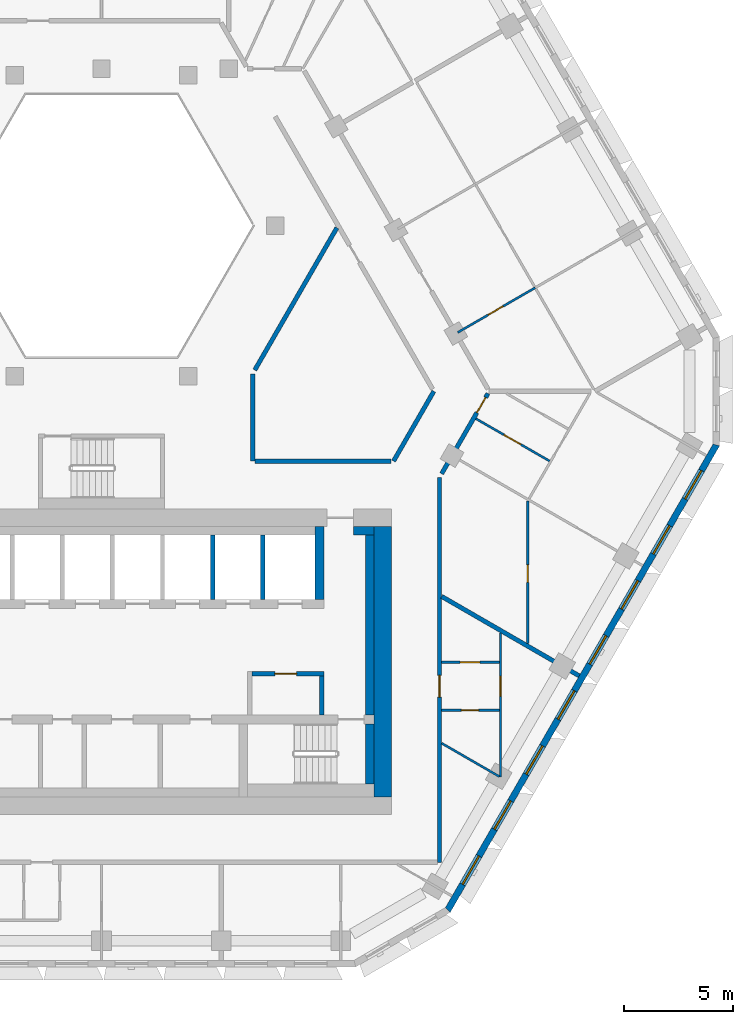
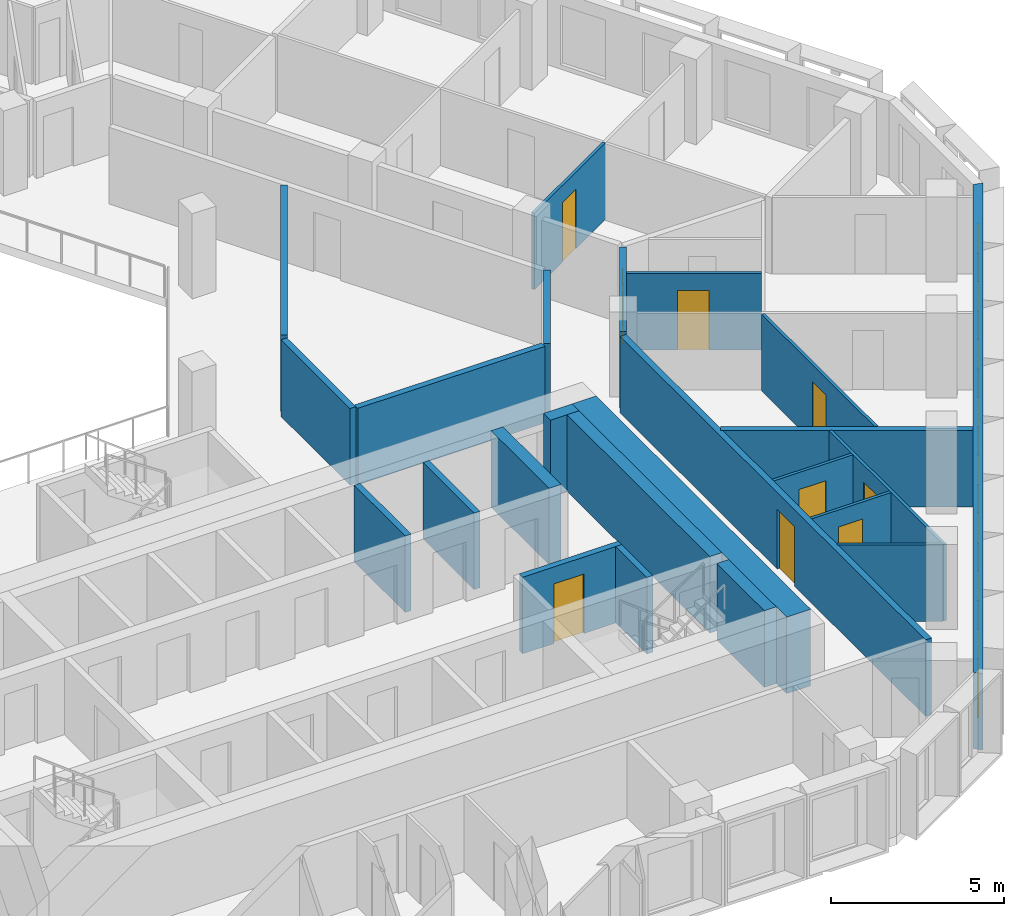
# One storey, part 6 of 17: 24 walls, 9 doors, 8 windows, 17 openings.
"""IFC4 building model written with IfcOpenShell, lengths in metres."""

from ifc_helpers import new_model, si_unit, direction, frame, frame_2d, origin, place, context, subcontext, project, spatial, polyline, rectangle, outline, extrude, material, layer, layer_set, type_object, element, fill, save


model = new_model("IFC4")

# Units and contexts
model_context = context("Model", 3, precision=1e-05, world=origin(), true_north=direction((0.0, 1.0)))
body_context = subcontext(model_context, "Body", "Model", "MODEL_VIEW")
ifc_project = project(units=[si_unit("LENGTHUNIT", "METRE"), si_unit("AREAUNIT", "SQUARE_METRE"), si_unit("VOLUMEUNIT", "CUBIC_METRE"), si_unit("PLANEANGLEUNIT", "RADIAN"), si_unit("MASSUNIT", "GRAM", prefix="KILO")], contexts=[model_context])

# Site, building, storey
site_placement = place(None, origin())
site = spatial("IfcSite", under=ifc_project, at=site_placement, CompositionType="ELEMENT")
building_placement = place(site_placement, origin())
building = spatial("IfcBuilding", under=site, at=building_placement, Name="Beryl Residences", CompositionType="ELEMENT")
storey_placement = place(building_placement, frame((0.0, 0.0, 132.60009765625)))
storey = spatial("IfcBuildingStorey", under=building, at=storey_placement, Name="L40", CompositionType="ELEMENT", Elevation=132.60009765625)

# Wall, openings, windows
ifc_material_1 = material(Name="Composite metal panel with mineral wool insulation")
ifc_layer_1 = layer(ifc_material_1, 0.300048828125)
ifc_layer_set_1 = layer_set([ifc_layer_1], Name="ES1 pale metal composite panel wall 300 mm")
wall_type_1 = type_object("IfcWallType", Name="ES1 pale metal composite panel wall 300 mm", PredefinedType="SOLIDWALL", material=ifc_layer_set_1)
wall_1_placement = place(storey_placement, frame((15.862060546875, -23.425048828125, 0.0), z_axis=(0.0, 0.0, 1.0), x_axis=(0.500017503135, 0.866015298109, 0.0)))
wall_1 = element("IfcWall", 1, at=wall_1_placement, inside=storey, type_object=wall_type_1, Name="ES1 external wall L40 SE", PredefinedType="SOLIDWALL", context=body_context, shape_type="SweptSolid", body=[
    extrude(outline(polyline([(0.0, -0.14990234375), (24.7109375, -0.14990234375), (24.630615234375, 0.14990234375), (0.080322265625, 0.14990234375), (0.0, -0.14990234375)])), origin(), (0.0, 0.0, 1.0), 2.699951171875),
])
opening_1_placement = place(wall_1_placement, frame((1.39990234375, 0.0, 0.14990234375)))
opening_1 = element("IfcOpeningElement", 2, at=opening_1_placement, cuts=wall_1, Name="Opening W1", PredefinedType="OPENING", context=body_context, shape_type="SweptSolid", body=[
    extrude(rectangle(XDim=1.5, YDim=2.10009765625, at=frame_2d((0.75, 1.050048828125))), frame((0.0, 0.159912109375, 0.0), z_axis=(0.0, -1.0, 0.0), x_axis=(1.0, 0.0, 0.0)), (0.0, 0.0, 1.0), 0.320068359375),
])
opening_2_placement = place(wall_1_placement, frame((4.31591796875, 0.0, 0.14990234375)))
opening_2 = element("IfcOpeningElement", 3, at=opening_2_placement, cuts=wall_1, Name="Opening W1", PredefinedType="OPENING", context=body_context, shape_type="SweptSolid", body=[
    extrude(rectangle(XDim=1.5, YDim=2.10009765625, at=frame_2d((0.75, 1.050048828125))), frame((0.0, 0.159912109375, 0.0), z_axis=(0.0, -1.0, 0.0), x_axis=(1.0, 0.0, 0.0)), (0.0, 0.0, 1.0), 0.320068359375),
])
opening_3_placement = place(wall_1_placement, frame((7.23095703125, 0.0, 0.14990234375)))
opening_3 = element("IfcOpeningElement", 4, at=opening_3_placement, cuts=wall_1, Name="Opening W1", PredefinedType="OPENING", context=body_context, shape_type="SweptSolid", body=[
    extrude(rectangle(XDim=1.5, YDim=2.10009765625, at=frame_2d((0.75, 1.050048828125))), frame((0.0, 0.159912109375, 0.0), z_axis=(0.0, -1.0, 0.0), x_axis=(1.0, 0.0, 0.0)), (0.0, 0.0, 1.0), 0.320068359375),
])
opening_4_placement = place(wall_1_placement, frame((10.14697265625, 0.0, 0.14990234375)))
opening_4 = element("IfcOpeningElement", 5, at=opening_4_placement, cuts=wall_1, Name="Opening W1", PredefinedType="OPENING", context=body_context, shape_type="SweptSolid", body=[
    extrude(rectangle(XDim=1.5, YDim=2.10009765625, at=frame_2d((0.75, 1.050048828125))), frame((0.0, 0.159912109375, 0.0), z_axis=(0.0, -1.0, 0.0), x_axis=(1.0, 0.0, 0.0)), (0.0, 0.0, 1.0), 0.320068359375),
])
opening_5_placement = place(wall_1_placement, frame((13.06201171875, 0.0, 0.14990234375)))
opening_5 = element("IfcOpeningElement", 6, at=opening_5_placement, cuts=wall_1, Name="Opening W1", PredefinedType="OPENING", context=body_context, shape_type="SweptSolid", body=[
    extrude(rectangle(XDim=1.5, YDim=2.10009765625, at=frame_2d((0.75, 1.050048828125))), frame((0.0, 0.159912109375, 0.0), z_axis=(0.0, -1.0, 0.0), x_axis=(1.0, 0.0, 0.0)), (0.0, 0.0, 1.0), 0.320068359375),
])
opening_6_placement = place(wall_1_placement, frame((15.97705078125, 0.0, 0.14990234375)))
opening_6 = element("IfcOpeningElement", 7, at=opening_6_placement, cuts=wall_1, Name="Opening W1", PredefinedType="OPENING", context=body_context, shape_type="SweptSolid", body=[
    extrude(rectangle(XDim=1.5, YDim=2.10009765625, at=frame_2d((0.75, 1.050048828125))), frame((0.0, 0.159912109375, 0.0), z_axis=(0.0, -1.0, 0.0), x_axis=(1.0, 0.0, 0.0)), (0.0, 0.0, 1.0), 0.320068359375),
])
opening_7_placement = place(wall_1_placement, frame((18.89306640625, 0.0, 0.14990234375)))
opening_7 = element("IfcOpeningElement", 8, at=opening_7_placement, cuts=wall_1, Name="Opening W1", PredefinedType="OPENING", context=body_context, shape_type="SweptSolid", body=[
    extrude(rectangle(XDim=1.5, YDim=2.10009765625, at=frame_2d((0.75, 1.050048828125))), frame((0.0, 0.159912109375, 0.0), z_axis=(0.0, -1.0, 0.0), x_axis=(1.0, 0.0, 0.0)), (0.0, 0.0, 1.0), 0.320068359375),
])
opening_8_placement = place(wall_1_placement, frame((21.80908203125, 0.0, 0.14990234375)))
opening_8 = element("IfcOpeningElement", 9, at=opening_8_placement, cuts=wall_1, Name="Opening W1", PredefinedType="OPENING", context=body_context, shape_type="SweptSolid", body=[
    extrude(rectangle(XDim=1.5, YDim=2.10009765625, at=frame_2d((0.75, 1.050048828125))), frame((0.0, 0.159912109375, 0.0), z_axis=(0.0, -1.0, 0.0), x_axis=(1.0, 0.0, 0.0)), (0.0, 0.0, 1.0), 0.320068359375),
])
ifc_material_2 = material(Name="Aluminium and clear glass", Category="aluminium")
window_type = type_object("IfcWindowType", Name="W1 cell window 1500 x 2100 mm", PartitioningType="SINGLE_PANEL", PredefinedType="WINDOW", material=ifc_material_2)
window_1_placement = place(opening_1_placement, origin())
window_1 = element("IfcWindow", 10, at=window_1_placement, inside=storey, type_object=window_type, Name="W1 window L40 SE 1", OverallHeight=2.10009765625, OverallWidth=1.5, PartitioningType="SINGLE_PANEL", PredefinedType="WINDOW", context=body_context, shape_type="SweptSolid", body=[
    extrude(rectangle(XDim=1.5, YDim=2.10009765625, at=frame_2d((0.75, 1.050048828125))), frame((0.0, 0.030029296875, 0.0), z_axis=(0.0, -1.0, 0.0), x_axis=(1.0, 0.0, 0.0)), (0.0, 0.0, 1.0), 0.06005859375),
])
fill(opening_1, window_1)
window_2_placement = place(opening_2_placement, origin())
window_2 = element("IfcWindow", 11, at=window_2_placement, inside=storey, type_object=window_type, Name="W1 window L40 SE 2", OverallHeight=2.10009765625, OverallWidth=1.5, PartitioningType="SINGLE_PANEL", PredefinedType="WINDOW", context=body_context, shape_type="SweptSolid", body=[
    extrude(rectangle(XDim=1.5, YDim=2.10009765625, at=frame_2d((0.75, 1.050048828125))), frame((0.0, 0.030029296875, 0.0), z_axis=(0.0, -1.0, 0.0), x_axis=(1.0, 0.0, 0.0)), (0.0, 0.0, 1.0), 0.06005859375),
])
fill(opening_2, window_2)
window_3_placement = place(opening_3_placement, origin())
window_3 = element("IfcWindow", 12, at=window_3_placement, inside=storey, type_object=window_type, Name="W1 window L40 SE 3", OverallHeight=2.10009765625, OverallWidth=1.5, PartitioningType="SINGLE_PANEL", PredefinedType="WINDOW", context=body_context, shape_type="SweptSolid", body=[
    extrude(rectangle(XDim=1.5, YDim=2.10009765625, at=frame_2d((0.75, 1.050048828125))), frame((0.0, 0.030029296875, 0.0), z_axis=(0.0, -1.0, 0.0), x_axis=(1.0, 0.0, 0.0)), (0.0, 0.0, 1.0), 0.06005859375),
])
fill(opening_3, window_3)
window_4_placement = place(opening_4_placement, origin())
window_4 = element("IfcWindow", 13, at=window_4_placement, inside=storey, type_object=window_type, Name="W1 window L40 SE 4", OverallHeight=2.10009765625, OverallWidth=1.5, PartitioningType="SINGLE_PANEL", PredefinedType="WINDOW", context=body_context, shape_type="SweptSolid", body=[
    extrude(rectangle(XDim=1.5, YDim=2.10009765625, at=frame_2d((0.75, 1.050048828125))), frame((0.0, 0.030029296875, 0.0), z_axis=(0.0, -1.0, 0.0), x_axis=(1.0, 0.0, 0.0)), (0.0, 0.0, 1.0), 0.06005859375),
])
fill(opening_4, window_4)
window_5_placement = place(opening_5_placement, origin())
window_5 = element("IfcWindow", 14, at=window_5_placement, inside=storey, type_object=window_type, Name="W1 window L40 SE 5", OverallHeight=2.10009765625, OverallWidth=1.5, PartitioningType="SINGLE_PANEL", PredefinedType="WINDOW", context=body_context, shape_type="SweptSolid", body=[
    extrude(rectangle(XDim=1.5, YDim=2.10009765625, at=frame_2d((0.75, 1.050048828125))), frame((0.0, 0.030029296875, 0.0), z_axis=(0.0, -1.0, 0.0), x_axis=(1.0, 0.0, 0.0)), (0.0, 0.0, 1.0), 0.06005859375),
])
fill(opening_5, window_5)
window_6_placement = place(opening_6_placement, origin())
window_6 = element("IfcWindow", 15, at=window_6_placement, inside=storey, type_object=window_type, Name="W1 window L40 SE 6", OverallHeight=2.10009765625, OverallWidth=1.5, PartitioningType="SINGLE_PANEL", PredefinedType="WINDOW", context=body_context, shape_type="SweptSolid", body=[
    extrude(rectangle(XDim=1.5, YDim=2.10009765625, at=frame_2d((0.75, 1.050048828125))), frame((0.0, 0.030029296875, 0.0), z_axis=(0.0, -1.0, 0.0), x_axis=(1.0, 0.0, 0.0)), (0.0, 0.0, 1.0), 0.06005859375),
])
fill(opening_6, window_6)
window_7_placement = place(opening_7_placement, origin())
window_7 = element("IfcWindow", 16, at=window_7_placement, inside=storey, type_object=window_type, Name="W1 window L40 SE 7", OverallHeight=2.10009765625, OverallWidth=1.5, PartitioningType="SINGLE_PANEL", PredefinedType="WINDOW", context=body_context, shape_type="SweptSolid", body=[
    extrude(rectangle(XDim=1.5, YDim=2.10009765625, at=frame_2d((0.75, 1.050048828125))), frame((0.0, 0.030029296875, 0.0), z_axis=(0.0, -1.0, 0.0), x_axis=(1.0, 0.0, 0.0)), (0.0, 0.0, 1.0), 0.06005859375),
])
fill(opening_7, window_7)
window_8_placement = place(opening_8_placement, origin())
window_8 = element("IfcWindow", 17, at=window_8_placement, inside=storey, type_object=window_type, Name="W1 window L40 SE 8", OverallHeight=2.10009765625, OverallWidth=1.5, PartitioningType="SINGLE_PANEL", PredefinedType="WINDOW", context=body_context, shape_type="SweptSolid", body=[
    extrude(rectangle(XDim=1.5, YDim=2.10009765625, at=frame_2d((0.75, 1.050048828125))), frame((0.0, 0.030029296875, 0.0), z_axis=(0.0, -1.0, 0.0), x_axis=(1.0, 0.0, 0.0)), (0.0, 0.0, 1.0), 0.06005859375),
])
fill(opening_8, window_8)

# Wall
ifc_material_3 = material(Name="Gypsum board partition on steel studs", Category="steel")
ifc_layer_2 = layer(ifc_material_3, 0.10009765625)
ifc_layer_set_2 = layer_set([ifc_layer_2], Name="PT1 partition 100 mm gypsum board on steel studs")
wall_type_2 = type_object("IfcWallType", Name="PT1 partition 100 mm gypsum board on steel studs", PredefinedType="PARTITIONING", material=ifc_layer_set_2)
wall_2_placement = place(storey_placement, frame((15.60009765625, -15.740966796875, 0.0), z_axis=(0.0, 0.0, 1.0), x_axis=(0.866010195725, -0.500026340207, 0.0)))
element("IfcWall", 18, at=wall_2_placement, inside=storey, type_object=wall_type_2, Name="Wall PT1 L40 011", PredefinedType="PARTITIONING", context=body_context, shape_type="SweptSolid", body=[
    extrude(rectangle(XDim=3.059814453125, YDim=0.10009765625, at=frame_2d((1.52978515625, 0.0))), origin(), (0.0, 0.0, 1.0), 2.699951171875),
])

# Wall, opening, door
wall_3_placement = place(storey_placement, frame((17.1708984375, -0.85693359375, 0.0), z_axis=(0.0, 0.0, 1.0), x_axis=(0.867173455867, -0.49800622229, 0.0)))
wall_3 = element("IfcWall", 19, at=wall_3_placement, inside=storey, type_object=wall_type_2, Name="Wall PT1 L40 018", PredefinedType="PARTITIONING", context=body_context, shape_type="SweptSolid", body=[
    extrude(rectangle(XDim=3.89794921875, YDim=0.10009765625, at=frame_2d((1.948974609375, 0.0))), origin(), (0.0, 0.0, 1.0), 2.699951171875),
])
opening_9_placement = place(wall_3_placement, frame((1.47412109375, 0.0, 0.0)))
opening_9 = element("IfcOpeningElement", 20, at=opening_9_placement, cuts=wall_3, Name="Opening D1043", PredefinedType="OPENING", context=body_context, shape_type="SweptSolid", body=[
    extrude(rectangle(XDim=0.89990234375, YDim=2.10009765625, at=frame_2d((0.449951171875, 1.050048828125))), frame((0.0, 0.06005859375, 0.0), z_axis=(0.0, -1.0, 0.0), x_axis=(1.0, 0.0, 0.0)), (0.0, 0.0, 1.0), 0.1201171875),
])
ifc_material_4 = material(Name="Timber door leaf", Category="wood")
door_type_1 = type_object("IfcDoorType", Name="D2 room door 900 x 2100 mm", OperationType="SINGLE_SWING_LEFT", PredefinedType="DOOR", material=ifc_material_4)
door_1_placement = place(opening_9_placement, origin())
door_1 = element("IfcDoor", 21, at=door_1_placement, inside=storey, type_object=door_type_1, Name="Door D1043 L40 001", OperationType="SINGLE_SWING_LEFT", OverallHeight=2.10009765625, OverallWidth=0.89990234375, PredefinedType="DOOR", context=body_context, shape_type="SweptSolid", body=[
    extrude(rectangle(XDim=0.89990234375, YDim=2.10009765625, at=frame_2d((0.449951171875, 1.050048828125))), frame((0.0, 0.02490234375, 0.0), z_axis=(0.0, -1.0, 0.0), x_axis=(1.0, 0.0, 0.0)), (0.0, 0.0, 1.0), 0.050048828125),
])
fill(opening_9, door_1)

wall_4_placement = place(storey_placement, frame((15.60009765625, -12.02490234375, 0.0), z_axis=(0.0, 0.0, 1.0), x_axis=(1.0, 0.0, 0.0)))
wall_4 = element("IfcWall", 22, at=wall_4_placement, inside=storey, type_object=wall_type_2, Name="Wall PT1 L40 022", PredefinedType="PARTITIONING", context=body_context, shape_type="SweptSolid", body=[
    extrude(rectangle(XDim=2.64990234375, YDim=0.10009765625, at=frame_2d((1.324951171875, 0.0))), origin(), (0.0, 0.0, 1.0), 2.699951171875),
])
opening_10_placement = place(wall_4_placement, frame((0.85009765625, 0.0, 0.0)))
opening_10 = element("IfcOpeningElement", 23, at=opening_10_placement, cuts=wall_4, Name="Opening D1038", PredefinedType="OPENING", context=body_context, shape_type="SweptSolid", body=[
    extrude(rectangle(XDim=0.89990234375, YDim=2.10009765625, at=frame_2d((0.449951171875, 1.050048828125))), frame((0.0, 0.06005859375, 0.0), z_axis=(0.0, -1.0, 0.0), x_axis=(1.0, 0.0, 0.0)), (0.0, 0.0, 1.0), 0.1201171875),
])
door_2_placement = place(opening_10_placement, origin())
door_2 = element("IfcDoor", 24, at=door_2_placement, inside=storey, type_object=door_type_1, Name="Door D1038 L40 001", OperationType="SINGLE_SWING_RIGHT", OverallHeight=2.10009765625, OverallWidth=0.89990234375, PredefinedType="DOOR", context=body_context, shape_type="SweptSolid", body=[
    extrude(rectangle(XDim=0.89990234375, YDim=2.10009765625, at=frame_2d((0.449951171875, 1.050048828125))), frame((0.0, 0.02490234375, 0.0), z_axis=(0.0, -1.0, 0.0), x_axis=(1.0, 0.0, 0.0)), (0.0, 0.0, 1.0), 0.050048828125),
])
fill(opening_10, door_2)

wall_5_placement = place(storey_placement, frame((15.60009765625, -14.22509765625, 0.0), z_axis=(0.0, 0.0, 1.0), x_axis=(1.0, 0.0, 0.0)))
wall_5 = element("IfcWall", 25, at=wall_5_placement, inside=storey, type_object=wall_type_2, Name="Wall PT1 L40 023", PredefinedType="PARTITIONING", context=body_context, shape_type="SweptSolid", body=[
    extrude(rectangle(XDim=2.64990234375, YDim=0.10009765625, at=frame_2d((1.324951171875, 0.0))), origin(), (0.0, 0.0, 1.0), 2.699951171875),
])
opening_11_placement = place(wall_5_placement, frame((0.89990234375, 0.0, 0.0)))
opening_11 = element("IfcOpeningElement", 26, at=opening_11_placement, cuts=wall_5, Name="Opening D1037", PredefinedType="OPENING", context=body_context, shape_type="SweptSolid", body=[
    extrude(rectangle(XDim=0.800048828125, YDim=2.10009765625, at=frame_2d((0.39990234375, 1.050048828125))), frame((0.0, 0.06005859375, 0.0), z_axis=(0.0, -1.0, 0.0), x_axis=(1.0, 0.0, 0.0)), (0.0, 0.0, 1.0), 0.1201171875),
])
ifc_material_5 = material(Name="Timber door leaf", Category="wood")
door_type_2 = type_object("IfcDoorType", Name="D3 bathroom door 800 x 2100 mm", OperationType="SINGLE_SWING_LEFT", PredefinedType="DOOR", material=ifc_material_5)
door_3_placement = place(opening_11_placement, origin())
door_3 = element("IfcDoor", 27, at=door_3_placement, inside=storey, type_object=door_type_2, Name="Door D1037 L40 001", OperationType="SINGLE_SWING_LEFT", OverallHeight=2.10009765625, OverallWidth=0.800048828125, PredefinedType="DOOR", context=body_context, shape_type="SweptSolid", body=[
    extrude(rectangle(XDim=0.800048828125, YDim=2.10009765625, at=frame_2d((0.39990234375, 1.050048828125))), frame((0.0, 0.02490234375, 0.0), z_axis=(0.0, -1.0, 0.0), x_axis=(1.0, 0.0, 0.0)), (0.0, 0.0, 1.0), 0.050048828125),
])
fill(opening_11, door_3)

wall_6_placement = place(storey_placement, frame((18.300048828125, -17.300048828125, 0.0), z_axis=(0.0, 0.0, 1.0), x_axis=(0.0, 1.0, 0.0)))
wall_6 = element("IfcWall", 28, at=wall_6_placement, inside=storey, type_object=wall_type_2, Name="Wall PT1 L40 042", PredefinedType="PARTITIONING", context=body_context, shape_type="SweptSolid", body=[
    extrude(rectangle(XDim=6.6181640625, YDim=0.10009765625, at=frame_2d((3.30908203125, 0.0))), origin(), (0.0, 0.0, 1.0), 2.699951171875),
])
opening_12_placement = place(wall_6_placement, frame((3.72509765625, 0.0, 0.0)))
opening_12 = element("IfcOpeningElement", 29, at=opening_12_placement, cuts=wall_6, Name="Opening D1039", PredefinedType="OPENING", context=body_context, shape_type="SweptSolid", body=[
    extrude(rectangle(XDim=0.89990234375, YDim=2.10009765625, at=frame_2d((0.449951171875, 1.050048828125))), frame((0.0, 0.06005859375, 0.0), z_axis=(0.0, -1.0, 0.0), x_axis=(1.0, 0.0, 0.0)), (0.0, 0.0, 1.0), 0.1201171875),
])
door_4_placement = place(opening_12_placement, origin())
door_4 = element("IfcDoor", 30, at=door_4_placement, inside=storey, type_object=door_type_1, Name="Door D1039 L40 001", OperationType="SINGLE_SWING_LEFT", OverallHeight=2.10009765625, OverallWidth=0.89990234375, PredefinedType="DOOR", context=body_context, shape_type="SweptSolid", body=[
    extrude(rectangle(XDim=0.89990234375, YDim=2.10009765625, at=frame_2d((0.449951171875, 1.050048828125))), frame((0.0, 0.02490234375, 0.0), z_axis=(0.0, -1.0, 0.0), x_axis=(1.0, 0.0, 0.0)), (0.0, 0.0, 1.0), 0.050048828125),
])
fill(opening_12, door_4)

wall_7_placement = place(storey_placement, frame((19.547119140625, -11.1708984375, 0.0), z_axis=(0.0, 0.0, 1.0), x_axis=(0.0, 1.0, 0.0)))
wall_7 = element("IfcWall", 31, at=wall_7_placement, inside=storey, type_object=wall_type_2, Name="Wall PT1 L40 043", PredefinedType="PARTITIONING", context=body_context, shape_type="SweptSolid", body=[
    extrude(rectangle(XDim=6.533935546875, YDim=0.10009765625, at=frame_2d((3.26708984375, 0.0))), origin(), (0.0, 0.0, 1.0), 2.699951171875),
])
opening_13_placement = place(wall_7_placement, frame((2.81005859375, 0.0, 0.0)))
opening_13 = element("IfcOpeningElement", 32, at=opening_13_placement, cuts=wall_7, Name="Opening D1048", PredefinedType="OPENING", context=body_context, shape_type="SweptSolid", body=[
    extrude(rectangle(XDim=0.800048828125, YDim=2.10009765625, at=frame_2d((0.39990234375, 1.050048828125))), frame((0.0, 0.06005859375, 0.0), z_axis=(0.0, -1.0, 0.0), x_axis=(1.0, 0.0, 0.0)), (0.0, 0.0, 1.0), 0.1201171875),
])
door_5_placement = place(opening_13_placement, origin())
door_5 = element("IfcDoor", 33, at=door_5_placement, inside=storey, type_object=door_type_2, Name="Door D1048 L40 001", OperationType="SINGLE_SWING_RIGHT", OverallHeight=2.10009765625, OverallWidth=0.800048828125, PredefinedType="DOOR", context=body_context, shape_type="SweptSolid", body=[
    extrude(rectangle(XDim=0.800048828125, YDim=2.10009765625, at=frame_2d((0.39990234375, 1.050048828125))), frame((0.0, 0.02490234375, 0.0), z_axis=(0.0, -1.0, 0.0), x_axis=(1.0, 0.0, 0.0)), (0.0, 0.0, 1.0), 0.050048828125),
])
fill(opening_13, door_5)

wall_8_placement = place(storey_placement, frame((16.339111328125, 3.10009765625, 0.0), z_axis=(0.0, 0.0, 1.0), x_axis=(0.866050731258, 0.499956128963, 0.0)))
wall_8 = element("IfcWall", 34, at=wall_8_placement, inside=storey, type_object=wall_type_2, Name="Wall PT1 L40 050", PredefinedType="PARTITIONING", context=body_context, shape_type="SweptSolid", body=[
    extrude(rectangle(XDim=4.099853515625, YDim=0.10009765625, at=frame_2d((2.0498046875, 0.0))), origin(), (0.0, 0.0, 1.0), 2.699951171875),
])
opening_14_placement = place(wall_8_placement, frame((1.60009765625, 0.0, 0.0)))
opening_14 = element("IfcOpeningElement", 35, at=opening_14_placement, cuts=wall_8, Name="Opening D1051", PredefinedType="OPENING", context=body_context, shape_type="SweptSolid", body=[
    extrude(rectangle(XDim=0.800048828125, YDim=2.10009765625, at=frame_2d((0.39990234375, 1.050048828125))), frame((0.0, 0.06005859375, 0.0), z_axis=(0.0, -1.0, 0.0), x_axis=(1.0, 0.0, 0.0)), (0.0, 0.0, 1.0), 0.1201171875),
])
door_6_placement = place(opening_14_placement, origin())
door_6 = element("IfcDoor", 36, at=door_6_placement, inside=storey, type_object=door_type_2, Name="Door D1051 L40 001", OperationType="SINGLE_SWING_LEFT", OverallHeight=2.10009765625, OverallWidth=0.800048828125, PredefinedType="DOOR", context=body_context, shape_type="SweptSolid", body=[
    extrude(rectangle(XDim=0.800048828125, YDim=2.10009765625, at=frame_2d((0.39990234375, 1.050048828125))), frame((0.0, 0.02490234375, 0.0), z_axis=(0.0, -1.0, 0.0), x_axis=(1.0, 0.0, 0.0)), (0.0, 0.0, 1.0), 0.050048828125),
])
fill(opening_14, door_6)

ifc_material_6 = material(Name="Concrete masonry", Category="masonry")
ifc_layer_3 = layer(ifc_material_6, 0.199951171875)
ifc_layer_set_3 = layer_set([ifc_layer_3], Name="PT13 lobby wall 200 mm")
wall_type_3 = type_object("IfcWallType", Name="PT13 lobby wall 200 mm", PredefinedType="PARTITIONING", material=ifc_layer_set_3)
wall_9_placement = place(storey_placement, frame((6.89990234375, -12.550048828125, 0.0), z_axis=(0.0, 0.0, 1.0), x_axis=(1.0, 0.0, 0.0)))
wall_9 = element("IfcWall", 37, at=wall_9_placement, inside=storey, type_object=wall_type_3, Name="Lobby wall 24", PredefinedType="PARTITIONING", context=body_context, shape_type="SweptSolid", body=[
    extrude(rectangle(XDim=3.300048828125, YDim=0.199951171875, at=frame_2d((1.64990234375, 0.0))), origin(), (0.0, 0.0, 1.0), 2.699951171875),
])
opening_15_placement = place(wall_9_placement, frame((2.050048828125, 0.0, 0.0), z_axis=(0.0, 0.0, 1.0), x_axis=(-1.0, 0.0, 0.0)))
opening_15 = element("IfcOpeningElement", 38, at=opening_15_placement, cuts=wall_9, Name="Opening CD-D-A1", PredefinedType="OPENING", context=body_context, shape_type="SweptSolid", body=[
    extrude(rectangle(XDim=1.0, YDim=2.10009765625, at=frame_2d((0.5, 1.050048828125))), frame((0.0, 0.10986328125, 0.0), z_axis=(0.0, -1.0, 0.0), x_axis=(1.0, 0.0, 0.0)), (0.0, 0.0, 1.0), 0.219970703125),
])
ifc_material_7 = material(Name="Steel door leaf in steel frame", Category="steel")
door_type_3 = type_object("IfcDoorType", Name="D18 service room door 1000 x 2100 mm", OperationType="SINGLE_SWING_LEFT", PredefinedType="DOOR", material=ifc_material_7)
door_7_placement = place(opening_15_placement, origin())
door_7 = element("IfcDoor", 39, at=door_7_placement, inside=storey, type_object=door_type_3, Name="Door CD-D-A1 L40 001", OperationType="SINGLE_SWING_RIGHT", OverallHeight=2.10009765625, OverallWidth=1.0, PredefinedType="DOOR", context=body_context, shape_type="SweptSolid", body=[
    extrude(rectangle(XDim=1.0, YDim=2.10009765625, at=frame_2d((0.5, 1.050048828125))), frame((0.0, 0.02490234375, 0.0), z_axis=(0.0, -1.0, 0.0), x_axis=(1.0, 0.0, 0.0)), (0.0, 0.0, 1.0), 0.050048828125),
])
fill(opening_15, door_7)

# Walls
wall_10_placement = place(storey_placement, frame((10.10009765625, -14.449951171875, 0.0), z_axis=(0.0, 0.0, 1.0), x_axis=(0.0, 1.0, 0.0)))
element("IfcWall", 40, at=wall_10_placement, inside=storey, type_object=wall_type_3, Name="Lobby wall 26", PredefinedType="PARTITIONING", context=body_context, shape_type="SweptSolid", body=[
    extrude(rectangle(XDim=1.800048828125, YDim=0.199951171875, at=frame_2d((0.89990234375, 0.0))), origin(), (0.0, 0.0, 1.0), 2.699951171875),
])
ifc_material_8 = material(Name="Concrete masonry", Category="masonry")
ifc_layer_4 = layer(ifc_material_8, 0.39990234375)
ifc_layer_set_4 = layer_set([ifc_layer_4], Name="PT13-400 lobby wall 400 mm")
wall_type_4 = type_object("IfcWallType", Name="PT13-400 lobby wall 400 mm", PredefinedType="PARTITIONING", material=ifc_layer_set_4)
wall_11_placement = place(storey_placement, frame((11.550048828125, -6.0, 0.0), z_axis=(0.0, 0.0, 1.0), x_axis=(1.0, 0.0, 0.0)))
element("IfcWall", 41, at=wall_11_placement, inside=storey, type_object=wall_type_4, Name="Lobby wall 27", PredefinedType="PARTITIONING", context=body_context, shape_type="SweptSolid", body=[
    extrude(rectangle(XDim=0.949951171875, YDim=0.39990234375, at=frame_2d((0.47509765625, 0.0))), origin(), (0.0, 0.0, 1.0), 2.699951171875),
])
wall_12_placement = place(storey_placement, frame((12.300048828125, -14.449951171875, 0.0), z_axis=(0.0, 0.0, 1.0), x_axis=(0.0, 1.0, 0.0)))
element("IfcWall", 42, at=wall_12_placement, inside=storey, type_object=wall_type_4, Name="Lobby wall 29", PredefinedType="PARTITIONING", context=body_context, shape_type="SweptSolid", body=[
    extrude(rectangle(XDim=8.25, YDim=0.39990234375, at=frame_2d((4.125, 0.0))), origin(), (0.0, 0.0, 1.0), 2.699951171875),
])
ifc_material_9 = material(Name="Acoustic double stud gypsum board wall")
ifc_layer_5 = layer(ifc_material_9, 0.199951171875)
ifc_layer_set_5 = layer_set([ifc_layer_5], Name="PT3 party wall 200 mm acoustic double stud")
wall_type_5 = type_object("IfcWallType", Name="PT3 party wall 200 mm acoustic double stud", PredefinedType="PARTITIONING", material=ifc_layer_set_5)
wall_13_placement = place(storey_placement, frame((15.60009765625, -9.008056640625, 0.0), z_axis=(0.0, 0.0, 1.0), x_axis=(0.866034366408, -0.499984475959, 0.0)))
element("IfcWall", 43, at=wall_13_placement, inside=storey, type_object=wall_type_5, Name="Wall PT3 L40 004", PredefinedType="PARTITIONING", context=body_context, shape_type="SweptSolid", body=[
    extrude(rectangle(XDim=7.285888671875, YDim=0.199951171875, at=frame_2d((3.64306640625, 0.0))), origin(), (0.0, 0.0, 1.0), 2.699951171875),
])
ifc_material_10 = material(Name="Double stud gypsum board wall")
ifc_layer_6 = layer(ifc_material_10, 0.199951171875)
ifc_layer_set_6 = layer_set([ifc_layer_6], Name="PT4 corridor wall 200 mm double stud")
wall_type_6 = type_object("IfcWallType", Name="PT4 corridor wall 200 mm double stud", PredefinedType="PARTITIONING", material=ifc_layer_set_6)
wall_14_placement = place(storey_placement, frame((7.028076171875, -2.800048828125, 0.0), z_axis=(0.0, 0.0, 1.0), x_axis=(1.0, 0.0, 0.0)))
element("IfcWall", 44, at=wall_14_placement, inside=storey, type_object=wall_type_6, Name="Wall PT4 L40 013", PredefinedType="PARTITIONING", context=body_context, shape_type="SweptSolid", body=[
    extrude(rectangle(XDim=6.25, YDim=0.199951171875, at=frame_2d((3.125, 0.0))), origin(), (0.0, 0.0, 1.0), 2.699951171875),
])
wall_15_placement = place(storey_placement, frame((7.028076171875, 1.373046875, 0.0), z_axis=(0.0, 0.0, 1.0), x_axis=(0.499954271211, 0.866051803703, 0.0)))
element("IfcWall", 45, at=wall_15_placement, inside=storey, type_object=wall_type_6, Name="Wall PT4 L40 017", PredefinedType="PARTITIONING", context=body_context, shape_type="SweptSolid", body=[
    extrude(rectangle(XDim=7.536376953125, YDim=0.199951171875, at=frame_2d((3.76806640625, 0.0))), origin(), (0.0, 0.0, 1.0), 2.699951171875),
])
wall_16_placement = place(storey_placement, frame((13.39404296875, -2.800048828125, 0.0), z_axis=(0.0, 0.0, 1.0), x_axis=(0.499968324138, 0.866043691079, 0.0)))
element("IfcWall", 46, at=wall_16_placement, inside=storey, type_object=wall_type_6, Name="Wall PT4 L40 018", PredefinedType="PARTITIONING", context=body_context, shape_type="SweptSolid", body=[
    extrude(rectangle(XDim=3.696044921875, YDim=0.199951171875, at=frame_2d((1.84814453125, 0.0))), origin(), (0.0, 0.0, 1.0), 2.699951171875),
])

# Wall, opening, door
wall_17_placement = place(storey_placement, frame((15.60009765625, -3.37890625, 0.0), z_axis=(0.0, 0.0, 1.0), x_axis=(0.499896543382, 0.866085126252, 0.0)))
wall_17 = element("IfcWall", 47, at=wall_17_placement, inside=storey, type_object=wall_type_6, Name="Wall PT4 L40 019", PredefinedType="PARTITIONING", context=body_context, shape_type="SweptSolid", body=[
    extrude(rectangle(XDim=4.2490234375, YDim=0.199951171875, at=frame_2d((2.12451171875, 0.0))), origin(), (0.0, 0.0, 1.0), 2.699951171875),
])
opening_16_placement = place(wall_17_placement, frame((3.23193359375, 0.0, 0.0)))
opening_16 = element("IfcOpeningElement", 48, at=opening_16_placement, cuts=wall_17, Name="Opening D1042", PredefinedType="OPENING", context=body_context, shape_type="SweptSolid", body=[
    extrude(rectangle(XDim=0.800048828125, YDim=2.10009765625, at=frame_2d((0.39990234375, 1.050048828125))), frame((0.0, 0.10986328125, 0.0), z_axis=(0.0, -1.0, 0.0), x_axis=(1.0, 0.0, 0.0)), (0.0, 0.0, 1.0), 0.219970703125),
])
ifc_material_11 = material(Name="Timber door leaf", Category="wood")
door_type_4 = type_object("IfcDoorType", Name="D12 flat entrance door 800 x 2100 mm", OperationType="SINGLE_SWING_LEFT", PredefinedType="DOOR", material=ifc_material_11)
door_8_placement = place(opening_16_placement, origin())
door_8 = element("IfcDoor", 49, at=door_8_placement, inside=storey, type_object=door_type_4, Name="Door D1042 L40 001", OperationType="SINGLE_SWING_RIGHT", OverallHeight=2.10009765625, OverallWidth=0.800048828125, PredefinedType="DOOR", context=body_context, shape_type="SweptSolid", body=[
    extrude(rectangle(XDim=0.800048828125, YDim=2.10009765625, at=frame_2d((0.39990234375, 1.050048828125))), frame((0.0, 0.02490234375, 0.0), z_axis=(0.0, -1.0, 0.0), x_axis=(1.0, 0.0, 0.0)), (0.0, 0.0, 1.0), 0.050048828125),
])
fill(opening_16, door_8)

# Wall
wall_18_placement = place(storey_placement, frame((6.927978515625, -2.800048828125, 0.0), z_axis=(0.0, 0.0, 1.0), x_axis=(0.0, 1.0, 0.0)))
element("IfcWall", 50, at=wall_18_placement, inside=storey, type_object=wall_type_6, Name="Wall PT4 L40 023", PredefinedType="PARTITIONING", context=body_context, shape_type="SweptSolid", body=[
    extrude(rectangle(XDim=4.0, YDim=0.199951171875, at=frame_2d((2.0, 0.0))), origin(), (0.0, 0.0, 1.0), 2.699951171875),
])

# Wall, opening, door
wall_19_placement = place(storey_placement, frame((15.5, -21.199951171875, 0.0), z_axis=(0.0, 0.0, 1.0), x_axis=(0.0, 1.0, 0.0)))
wall_19 = element("IfcWall", 51, at=wall_19_placement, inside=storey, type_object=wall_type_6, Name="Wall PT4 L40 024", PredefinedType="PARTITIONING", context=body_context, shape_type="SweptSolid", body=[
    extrude(rectangle(XDim=17.64794921875, YDim=0.199951171875, at=frame_2d((8.823974609375, 0.0))), origin(), (0.0, 0.0, 1.0), 2.699951171875),
])
opening_17_placement = place(wall_19_placement, frame((7.574951171875, 0.0, 0.0)))
opening_17 = element("IfcOpeningElement", 52, at=opening_17_placement, cuts=wall_19, Name="Opening D1036", PredefinedType="OPENING", context=body_context, shape_type="SweptSolid", body=[
    extrude(rectangle(XDim=1.0, YDim=2.10009765625, at=frame_2d((0.5, 1.050048828125))), frame((0.0, 0.10986328125, 0.0), z_axis=(0.0, -1.0, 0.0), x_axis=(1.0, 0.0, 0.0)), (0.0, 0.0, 1.0), 0.219970703125),
])
ifc_material_12 = material(Name="Timber door leaf", Category="wood")
door_type_5 = type_object("IfcDoorType", Name="D1 flat entrance door 1000 x 2100 mm", OperationType="SINGLE_SWING_LEFT", PredefinedType="DOOR", material=ifc_material_12)
door_9_placement = place(opening_17_placement, origin())
door_9 = element("IfcDoor", 53, at=door_9_placement, inside=storey, type_object=door_type_5, Name="Door D1036 L40 001", OperationType="SINGLE_SWING_RIGHT", OverallHeight=2.10009765625, OverallWidth=1.0, PredefinedType="DOOR", context=body_context, shape_type="SweptSolid", body=[
    extrude(rectangle(XDim=1.0, YDim=2.10009765625, at=frame_2d((0.5, 1.050048828125))), frame((0.0, 0.02490234375, 0.0), z_axis=(0.0, -1.0, 0.0), x_axis=(1.0, 0.0, 0.0)), (0.0, 0.0, 1.0), 0.050048828125),
])
fill(opening_17, door_9)

# Walls
ifc_material_13 = material(Name="Concrete C40/50", Category="concrete")
ifc_layer_7 = layer(ifc_material_13, 0.39990234375)
ifc_layer_set_7 = layer_set([ifc_layer_7], Name="PT5-400 stair enclosure wall 400 mm")
wall_type_7 = type_object("IfcWallType", Name="PT5-400 stair enclosure wall 400 mm", PredefinedType="SOLIDWALL", material=ifc_layer_set_7)
wall_20_placement = place(storey_placement, frame((12.300048828125, -17.60009765625, 0.0), z_axis=(0.0, 0.0, 1.0), x_axis=(0.0, 1.0, 0.0)))
element("IfcWall", 54, at=wall_20_placement, inside=storey, type_object=wall_type_7, Name="Stair wall 28", PredefinedType="SOLIDWALL", context=body_context, shape_type="SweptSolid", body=[
    extrude(rectangle(XDim=2.75, YDim=0.39990234375, at=frame_2d((1.375, 0.0))), origin(), (0.0, 0.0, 1.0), 2.699951171875),
])
ifc_material_14 = material(Name="Concrete C40/50", Category="concrete")
ifc_layer_8 = layer(ifc_material_14, 0.199951171875)
ifc_layer_set_8 = layer_set([ifc_layer_8], Name="PT6 lift shaft wall 200 mm reinforced concrete C40/50")
wall_type_8 = type_object("IfcWallType", Name="PT6 lift shaft wall 200 mm reinforced concrete C40/50", PredefinedType="SOLIDWALL", material=ifc_layer_set_8)
for number, where, z_axis, x_axis, name in (
    (55, (5.10009765625, -9.14990234375, 0.0), (0.0, 0.0, 1.0), (0.0, 1.0, 0.0), "Lift shaft wall 21"),
    (56, (7.39990234375, -9.14990234375, 0.0), (0.0, 0.0, 1.0), (0.0, 1.0, 0.0), "Lift shaft wall 25"),
):
    element("IfcWall", number, at=place(storey_placement, frame(where, z_axis=z_axis, x_axis=x_axis)), inside=storey, type_object=wall_type_8, Name=name, PredefinedType="SOLIDWALL", context=body_context, shape_type="SweptSolid", body=[
        extrude(rectangle(XDim=2.949951171875, YDim=0.199951171875, at=frame_2d((1.47509765625, 0.0))), origin(), (0.0, 0.0, 1.0), 2.699951171875),
    ])
ifc_material_15 = material(Name="Concrete C60/75", Category="concrete")
ifc_layer_9 = layer(ifc_material_15, 0.800048828125)
ifc_layer_set_9 = layer_set([ifc_layer_9], Name="SW3 core outer wall 800 mm C60/75")
wall_type_9 = type_object("IfcWallType", Name="SW3 core outer wall 800 mm C60/75", PredefinedType="SHEAR", material=ifc_layer_set_9)
wall_21_placement = place(storey_placement, frame((12.89990234375, -18.199951171875, 0.0), z_axis=(0.0, 0.0, 1.0), x_axis=(0.0, 1.0, 0.0)))
element("IfcWall", 57, at=wall_21_placement, inside=storey, type_object=wall_type_9, Name="Core wall E L40", PredefinedType="SHEAR", context=body_context, shape_type="SweptSolid", body=[
    extrude(rectangle(XDim=12.39990234375, YDim=0.800048828125, at=frame_2d((6.199951171875, 0.0))), origin(), (0.0, 0.0, 1.0), 2.699951171875),
])
ifc_material_16 = material(Name="Concrete C60/75", Category="concrete")
ifc_layer_10 = layer(ifc_material_16, 0.39990234375)
ifc_layer_set_10 = layer_set([ifc_layer_10], Name="SW8 core internal wall 400 mm C60/75")
wall_type_10 = type_object("IfcWallType", Name="SW8 core internal wall 400 mm C60/75", PredefinedType="SHEAR", material=ifc_layer_set_10)
wall_22_placement = place(storey_placement, frame((10.0, -9.14990234375, 0.0), z_axis=(0.0, 0.0, 1.0), x_axis=(0.0, 1.0, 0.0)))
element("IfcWall", 58, at=wall_22_placement, inside=storey, type_object=wall_type_10, Name="Core wall XN2 L40", PredefinedType="SHEAR", context=body_context, shape_type="SweptSolid", body=[
    extrude(rectangle(XDim=3.349853515625, YDim=0.39990234375, at=frame_2d((1.6748046875, 0.0))), origin(), (0.0, 0.0, 1.0), 2.699951171875),
])

save(model, "model.ifc")
